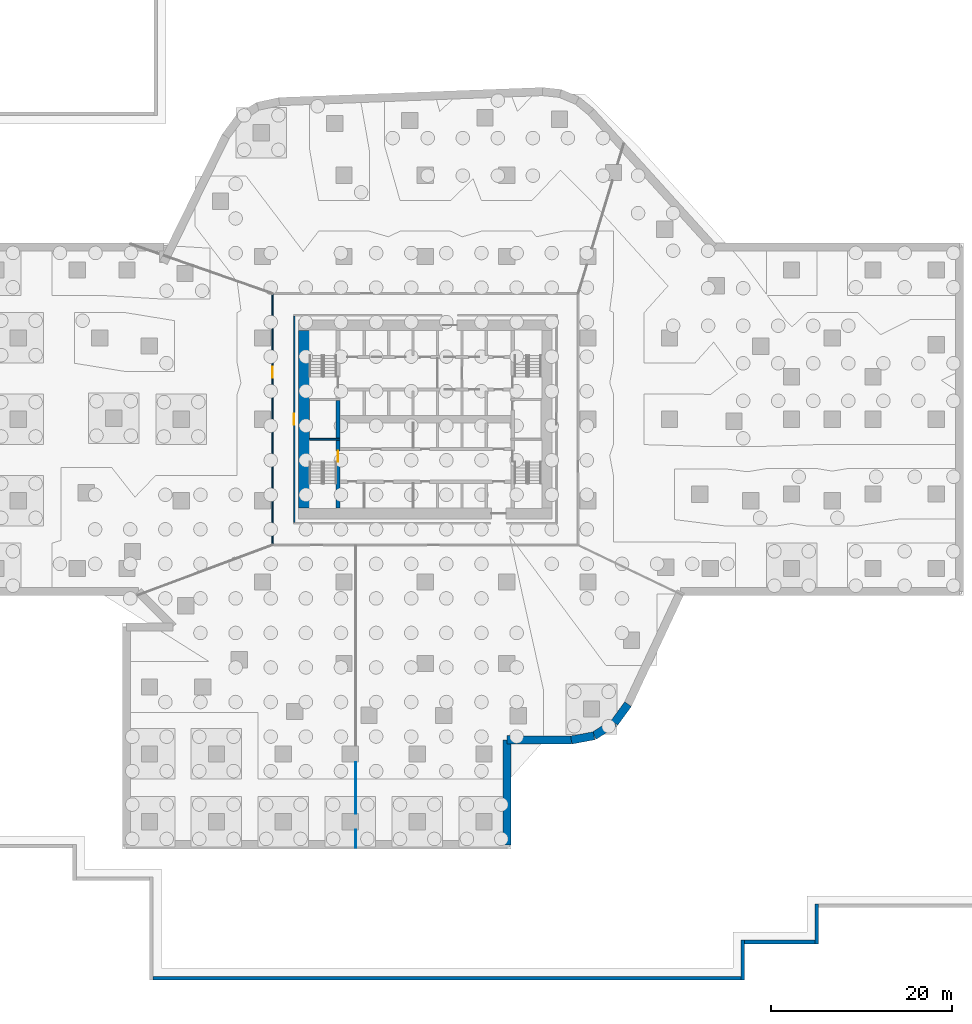
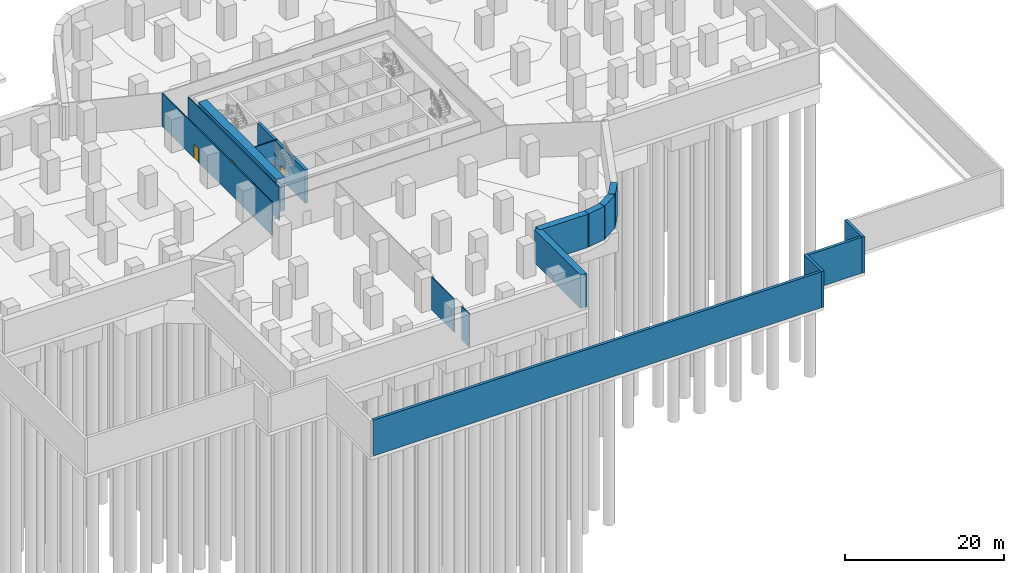
# One storey, part 5 of 12: 17 walls, 3 doors, 3 openings.
"""IFC4 building model written with IfcOpenShell, lengths in metres."""

import ifcopenshell
import ifcopenshell.guid

model = None  # the IFC model being written
_history = None  # IfcOwnerHistory: only IFC2X3 demands one
_inside = {}  # id of a spatial element -> (the spatial element, [elements in it])
_under = {}  # id of a project, library or spatial element -> (it, [spatial elements below it])
_declared = {}  # id of a project -> (the project, [libraries it declares])
_typed = {}  # id of a type object -> (the type object, [elements of that type])
_made_of = {}  # id of a material, layer set ... -> (it, [elements and type objects made of it])


def new_model(schema):
    """Start an empty IFC model of exactly this schema.

    Asked for "IFC4X3", IfcOpenShell would pick the latest addendum, in which some entities
    have other attributes; the version numbers below select the first issue.
    IFC2X3 requires an IfcOwnerHistory on every rooted entity: one is made here for all.
    """
    global model, _history
    if schema == "IFC4X3":
        model = ifcopenshell.file(schema_version=(4, 3, 0, 0))
    else:
        model = ifcopenshell.file(schema=schema)
    _inside.clear()
    _under.clear()
    _declared.clear()
    _typed.clear()
    _made_of.clear()
    _history = None
    if model.schema == "IFC2X3":
        org = make("IfcOrganization", Name="unknown")
        user = make(
            "IfcPersonAndOrganization",
            ThePerson=make("IfcPerson", FamilyName="unknown"),
            TheOrganization=org,
        )
        app = make(
            "IfcApplication",
            ApplicationDeveloper=org,
            Version="unknown",
            ApplicationFullName="unknown",
            ApplicationIdentifier="unknown",
        )
        _history = make(
            "IfcOwnerHistory",
            OwningUser=user,
            OwningApplication=app,
            ChangeAction="ADDED",
            CreationDate=0,
        )
    return model


def make(cls, **values):
    """One entity of the class cls with the attributes given. An attribute that is None is left unset."""
    return model.create_entity(
        cls, **{name: value for name, value in values.items() if value is not None}
    )


def rooted(cls, **values):
    """An entity with a GlobalId (a new one), such as an element, a storey or a relation."""
    return make(cls, GlobalId=ifcopenshell.guid.new(), OwnerHistory=_history, **values)


def si_unit(unit_type, name, prefix=None):
    """IfcSIUnit, for example si_unit("LENGTHUNIT", "METRE", prefix="MILLI")."""
    return make("IfcSIUnit", UnitType=unit_type, Prefix=prefix, Name=name)


def assignment(units):
    """IfcUnitAssignment: the units of a project."""
    return None if units is None else make("IfcUnitAssignment", Units=units)


def point(xyz):
    """IfcCartesianPoint."""
    return None if xyz is None else make("IfcCartesianPoint", Coordinates=xyz)


def direction(xyz):
    """IfcDirection."""
    return None if xyz is None else make("IfcDirection", DirectionRatios=xyz)


def frame(location, z_axis=None, x_axis=None):
    """IfcAxis2Placement3D, a coordinate frame: its origin and axes. An axis left out is left unset."""
    return make(
        "IfcAxis2Placement3D",
        Location=point(location),
        Axis=direction(z_axis),
        RefDirection=direction(x_axis),
    )


def frame_2d(location, x_axis=None):
    """IfcAxis2Placement2D, a coordinate frame in the plane: its origin and x axis."""
    return make(
        "IfcAxis2Placement2D", Location=point(location), RefDirection=direction(x_axis)
    )


def origin():
    """The frame at (0, 0, 0) with its axes left unset."""
    return frame((0.0, 0.0, 0.0))


def place(relative_to, where):
    """IfcLocalPlacement: puts the frame where relative to a parent placement (None: the world)."""
    return make(
        "IfcLocalPlacement", PlacementRelTo=relative_to, RelativePlacement=where
    )


def context(
    kind, dimensions, precision=None, world=None, true_north=None, identifier=None
):
    """IfcGeometricRepresentationContext, for example the 3D "Model" context."""
    return make(
        "IfcGeometricRepresentationContext",
        ContextIdentifier=identifier,
        ContextType=kind,
        CoordinateSpaceDimension=dimensions,
        Precision=precision,
        WorldCoordinateSystem=world,
        TrueNorth=true_north,
    )


def subcontext(parent, identifier, kind, view, scale=None):
    """IfcGeometricRepresentationSubContext, for example "Body" below "Model"."""
    return make(
        "IfcGeometricRepresentationSubContext",
        ContextIdentifier=identifier,
        ContextType=kind,
        ParentContext=parent,
        TargetScale=scale,
        TargetView=view,
    )


def project(units=None, contexts=None):
    """IfcProject with its units and contexts."""
    return rooted(
        "IfcProject",
        Name="project",
        RepresentationContexts=contexts,
        UnitsInContext=assignment(units),
    )


def spatial(cls, under=None, at=None, **own):
    """A site, building, storey or space (cls), placed at a placement, below another one or the project."""
    s = rooted(cls, ObjectPlacement=at, **own)
    if under is not None:
        _under.setdefault(under.id(), (under, []))[1].append(s)
    return s


def profile(cls, at=None, kind="AREA", **sizes):
    """A parametric profile (cls). Its sizes go by their IFC names, for example OverallWidth=200.0."""
    return make(cls, ProfileType=kind, Position=at, **sizes)


def rectangle(**sizes):
    """IfcRectangleProfileDef."""
    return profile("IfcRectangleProfileDef", **sizes)


def extrude(swept, where, along, depth):
    """IfcExtrudedAreaSolid: the profile swept, set in the frame where, extruded along a direction by depth."""
    return make(
        "IfcExtrudedAreaSolid",
        SweptArea=swept,
        Position=where,
        ExtrudedDirection=direction(along),
        Depth=depth,
    )


def shape(context_of_items, identifier, shape_type, items):
    """IfcShapeRepresentation: the items that make up one representation, for example the "Body"."""
    return make(
        "IfcShapeRepresentation",
        ContextOfItems=context_of_items,
        RepresentationIdentifier=identifier,
        RepresentationType=shape_type,
        Items=items,
    )


def material(Name=None, Category=None):
    """IfcMaterial."""
    return make("IfcMaterial", Name=Name, Category=Category)


def layer(
    of_material, thickness, ventilated=None, Name=None, Category=None, Priority=None
):
    """IfcMaterialLayer: one layer of a wall or slab, of a material (None: an air gap)."""
    return make(
        "IfcMaterialLayer",
        Material=of_material,
        LayerThickness=thickness,
        IsVentilated=ventilated,
        Name=Name,
        Category=Category,
        Priority=Priority,
    )


def layer_set(layers, Name=None):
    """IfcMaterialLayerSet."""
    return make("IfcMaterialLayerSet", MaterialLayers=layers, LayerSetName=Name)


def made_of(thing, what):
    """Note that an element or type object is made of a material, layer set ...; save() writes the relation."""
    if what is not None:
        _made_of.setdefault(what.id(), (what, []))[1].append(thing)
    return thing


def type_object(cls, material=None, **own):
    """A type object (cls), such as IfcWallType, which elements share."""
    return made_of(rooted(cls, **own), material)


def element(
    cls,
    number,
    at=None,
    inside=None,
    cuts=None,
    type_object=None,
    material=None,
    context=None,
    identifier="Body",
    shape_type=None,
    held_by="IfcProductDefinitionShape",
    body=None,
    shapes=None,
    **own,
):
    """One element of the class cls, such as IfcWall. Its Tag is "e" and its number.

    at: its placement. inside: the storey or other place that contains it. cuts: it is an
    opening in that element (IfcRelVoidsElement). A single representation is given by context,
    identifier, shape_type and body (its items); several are given by shapes. held_by: the class
    of the entity that holds the representations. save() writes the other relations.
    """
    e = rooted(cls, Tag="e%d" % number, ObjectPlacement=at, **own)
    if body is not None:
        shapes = [shape(context, identifier, shape_type, body)]
    if shapes is not None:
        e.Representation = make(held_by, Representations=shapes)
    if inside is not None:
        _inside.setdefault(inside.id(), (inside, []))[1].append(e)
    if cuts is not None:
        rooted(
            "IfcRelVoidsElement", RelatingBuildingElement=cuts, RelatedOpeningElement=e
        )
    if type_object is not None:
        _typed.setdefault(type_object.id(), (type_object, []))[1].append(e)
    return made_of(e, material)


def fill(opening, filler):
    """IfcRelFillsElement: the door or window that sits in an opening."""
    return rooted(
        "IfcRelFillsElement",
        RelatingOpeningElement=opening,
        RelatedBuildingElement=filler,
    )


def aggregate(whole, parts):
    """IfcRelAggregates: a whole, such as a stair, and the parts it consists of."""
    return rooted("IfcRelAggregates", RelatingObject=whole, RelatedObjects=parts)


def save(model, path):
    """Write the relations noted so far, then the file.

    IfcRelAggregates (storeys below a building ...), IfcRelContainedInSpatialStructure (elements
    in a storey), IfcRelDefinesByType, IfcRelAssociatesMaterial and IfcRelDeclares: one each for
    every whole, place, type object, material and project.
    """
    for whole, parts in _under.values():
        aggregate(whole, parts)
    for where, things in _inside.values():
        rooted(
            "IfcRelContainedInSpatialStructure",
            RelatedElements=things,
            RelatingStructure=where,
        )
    for kind, things in _typed.values():
        rooted("IfcRelDefinesByType", RelatedObjects=things, RelatingType=kind)
    for what, things in _made_of.values():
        rooted("IfcRelAssociatesMaterial", RelatedObjects=things, RelatingMaterial=what)
    for by, libraries in _declared.values():
        rooted("IfcRelDeclares", RelatingContext=by, RelatedDefinitions=libraries)
    model.write(path)


model = new_model("IFC4")

# Units and contexts
model_context = context("Model", 3, precision=1e-05, world=origin(), true_north=direction((0.0, 1.0)))
body_context = subcontext(model_context, "Body", "Model", "MODEL_VIEW")
ifc_project = project(units=[si_unit("LENGTHUNIT", "METRE"), si_unit("AREAUNIT", "SQUARE_METRE"), si_unit("VOLUMEUNIT", "CUBIC_METRE"), si_unit("PLANEANGLEUNIT", "RADIAN"), si_unit("MASSUNIT", "GRAM", prefix="KILO")], contexts=[model_context])

# Site, building, storey
site_placement = place(None, origin())
site = spatial("IfcSite", under=ifc_project, at=site_placement, CompositionType="ELEMENT")
building_placement = place(site_placement, origin())
building = spatial("IfcBuilding", under=site, at=building_placement, Name="Dongbaek Canopy Tower", CompositionType="ELEMENT")
storey_placement = place(building_placement, frame((0.0, 0.0, -17.0)))
storey = spatial("IfcBuildingStorey", under=building, at=storey_placement, Name="B3", CompositionType="ELEMENT", Elevation=-17.0)

# Wall
ifc_material_1 = material(Name="Concrete C60/75", Category="concrete")
ifc_layer_1 = layer(ifc_material_1, 1.199951171875)
ifc_layer_set_1 = layer_set([ifc_layer_1], Name="Core outer wall 1200 Concrete C60/75")
wall_type_1 = type_object("IfcWallType", Name="Core outer wall 1200 Concrete C60/75", PredefinedType="SHEAR", material=ifc_layer_set_1)
wall_1_placement = place(storey_placement, frame((-13.39990234375, -9.800048828125, 0.0), z_axis=(0.0, 0.0, 1.0), x_axis=(0.0, 1.0, 0.0)))
element("IfcWall", 1, at=wall_1_placement, inside=storey, type_object=wall_type_1, Name="Core wall", PredefinedType="SHEAR", context=body_context, shape_type="SweptSolid", body=[
    extrude(rectangle(XDim=19.60009765625, YDim=1.199951171875, at=frame_2d((9.800048828125, 0.0))), origin(), (0.0, 0.0, 1.0), 5.10009765625),
])

# Wall, opening, door
ifc_material_2 = material(Name="Gypsum board partition, steel stud, 2 x 15 mm fire board", Category="steel")
ifc_layer_2 = layer(ifc_material_2, 0.14990234375)
ifc_layer_set_2 = layer_set([ifc_layer_2], Name="Fire-rated partition 150 gypsum board")
wall_type_2 = type_object("IfcWallType", Name="Fire-rated partition 150 gypsum board", PredefinedType="PARTITIONING", material=ifc_layer_set_2)
wall_2_placement = place(storey_placement, frame((-14.5, 11.425048828125, 0.0), z_axis=(0.0, 0.0, 1.0), x_axis=(0.0, -1.0, 0.0)))
wall_2 = element("IfcWall", 2, at=wall_2_placement, inside=storey, type_object=wall_type_2, Name="Corridor partition", PredefinedType="PARTITIONING", context=body_context, shape_type="SweptSolid", body=[
    extrude(rectangle(XDim=22.85009765625, YDim=0.14990234375, at=frame_2d((11.425048828125, 0.0))), origin(), (0.0, 0.0, 1.0), 5.10009765625),
])
opening_1_placement = place(wall_2_placement, frame((10.824951171875, 0.0, 0.0)))
opening_1 = element("IfcOpeningElement", 3, at=opening_1_placement, cuts=wall_2, Name="Opening B3-D006", PredefinedType="OPENING", context=body_context, shape_type="SweptSolid", body=[
    extrude(rectangle(XDim=1.199951171875, YDim=2.10009765625, at=frame_2d((0.60009765625, 1.050048828125))), frame((0.0, 0.0849609375, 0.0), z_axis=(0.0, -1.0, 0.0), x_axis=(1.0, 0.0, 0.0)), (0.0, 0.0, 1.0), 0.169921875),
])
ifc_material_3 = material(Name="Timber veneered door leaf", Category="wood")
door_type_1 = type_object("IfcDoorType", Name="Room door 1200 x 2100", OperationType="SINGLE_SWING_LEFT", PredefinedType="DOOR", material=ifc_material_3)
door_1_placement = place(opening_1_placement, origin())
door_1 = element("IfcDoor", 4, at=door_1_placement, inside=storey, type_object=door_type_1, Name="Door B3-D006", OperationType="SINGLE_SWING_LEFT", OverallHeight=2.10009765625, OverallWidth=1.199951171875, PredefinedType="DOOR", context=body_context, shape_type="SweptSolid", body=[
    extrude(rectangle(XDim=1.199951171875, YDim=2.10009765625, at=frame_2d((0.60009765625, 1.050048828125))), frame((0.0, 0.02490234375, 0.0), z_axis=(0.0, -1.0, 0.0), x_axis=(1.0, 0.0, 0.0)), (0.0, 0.0, 1.0), 0.050048828125),
])
fill(opening_1, door_1)

wall_3_placement = place(storey_placement, frame((-16.89990234375, -13.824951171875, 0.0), z_axis=(0.0, 0.0, 1.0), x_axis=(0.0, 1.0, 0.0)))
wall_3 = element("IfcWall", 5, at=wall_3_placement, inside=storey, type_object=wall_type_2, Name="Corridor partition", PredefinedType="PARTITIONING", context=body_context, shape_type="SweptSolid", body=[
    extrude(rectangle(XDim=27.64990234375, YDim=0.14990234375, at=frame_2d((13.824951171875, 0.0))), origin(), (0.0, 0.0, 1.0), 5.10009765625),
])
opening_2_placement = place(wall_3_placement, frame((18.445068359375, 0.0, 0.0)))
opening_2 = element("IfcOpeningElement", 6, at=opening_2_placement, cuts=wall_3, Name="Opening B3-D001", PredefinedType="OPENING", context=body_context, shape_type="SweptSolid", body=[
    extrude(rectangle(XDim=1.199951171875, YDim=2.10009765625, at=frame_2d((0.60009765625, 1.050048828125))), frame((0.0, 0.0849609375, 0.0), z_axis=(0.0, -1.0, 0.0), x_axis=(1.0, 0.0, 0.0)), (0.0, 0.0, 1.0), 0.169921875),
])
door_2_placement = place(opening_2_placement, origin())
door_2 = element("IfcDoor", 7, at=door_2_placement, inside=storey, type_object=door_type_1, Name="Door B3-D001", OperationType="SINGLE_SWING_RIGHT", OverallHeight=2.10009765625, OverallWidth=1.199951171875, PredefinedType="DOOR", context=body_context, shape_type="SweptSolid", body=[
    extrude(rectangle(XDim=1.199951171875, YDim=2.10009765625, at=frame_2d((0.60009765625, 1.050048828125))), frame((0.0, 0.02490234375, 0.0), z_axis=(0.0, -1.0, 0.0), x_axis=(1.0, 0.0, 0.0)), (0.0, 0.0, 1.0), 0.050048828125),
])
fill(opening_2, door_2)

# Walls
ifc_material_4 = material(Name="Gypsum board partition, steel stud, 2 x 12.5 mm board", Category="steel")
ifc_layer_3 = layer(ifc_material_4, 0.10009765625)
ifc_layer_set_3 = layer_set([ifc_layer_3], Name="Partition 100 gypsum board")
wall_type_3 = type_object("IfcWallType", Name="Partition 100 gypsum board", PredefinedType="PARTITIONING", material=ifc_layer_set_3)
wall_4_placement = place(storey_placement, frame((-7.699951171875, -47.3798828125, 0.0), z_axis=(0.0, 0.0, 1.0), x_axis=(0.0, 1.0, 0.0)))
element("IfcWall", 8, at=wall_4_placement, inside=storey, type_object=wall_type_3, Name="Partition", PredefinedType="PARTITIONING", context=body_context, shape_type="SweptSolid", body=[
    extrude(rectangle(XDim=1.97998046875, YDim=0.10009765625, at=frame_2d((0.989990234375, 0.0))), origin(), (0.0, 0.0, 1.0), 5.10009765625),
])
wall_5_placement = place(storey_placement, frame((-7.699951171875, -43.60009765625, 0.0), z_axis=(0.0, 0.0, 1.0), x_axis=(0.0, 1.0, 0.0)))
element("IfcWall", 9, at=wall_5_placement, inside=storey, type_object=wall_type_3, Name="Partition", PredefinedType="PARTITIONING", context=body_context, shape_type="SweptSolid", body=[
    extrude(rectangle(XDim=5.7001953125, YDim=0.10009765625, at=frame_2d((2.85009765625, 0.0))), origin(), (0.0, 0.0, 1.0), 5.10009765625),
])
ifc_material_5 = material(Name="Concrete C40/50", Category="concrete")
ifc_layer_4 = layer(ifc_material_5, 0.39990234375)
ifc_layer_set_4 = layer_set([ifc_layer_4], Name="Plaza plinth wall 400")
wall_type_4 = type_object("IfcWallType", Name="Plaza plinth wall 400", PredefinedType="SOLIDWALL", material=ifc_layer_set_4)
wall_6_placement = place(storey_placement, frame((-30.10009765625, -61.800048828125, 0.0), z_axis=(0.0, 0.0, 1.0), x_axis=(1.0, 0.0, 0.0)))
element("IfcWall", 10, at=wall_6_placement, inside=storey, type_object=wall_type_4, Name="Plaza plinth wall 53", PredefinedType="SOLIDWALL", context=body_context, shape_type="SweptSolid", body=[
    extrude(rectangle(XDim=65.0, YDim=0.39990234375, at=frame_2d((32.5, 0.0))), origin(), (0.0, 0.0, 1.0), 5.5),
])
wall_7_placement = place(storey_placement, frame((35.10009765625, -62.0, 0.0), z_axis=(0.0, 0.0, 1.0), x_axis=(0.0, 1.0, 0.0)))
element("IfcWall", 11, at=wall_7_placement, inside=storey, type_object=wall_type_4, Name="Plaza plinth wall 54", PredefinedType="SOLIDWALL", context=body_context, shape_type="SweptSolid", body=[
    extrude(rectangle(XDim=4.39990234375, YDim=0.39990234375, at=frame_2d((2.199951171875, 0.0))), origin(), (0.0, 0.0, 1.0), 5.5),
])
wall_8_placement = place(storey_placement, frame((35.300048828125, -57.800048828125, 0.0), z_axis=(0.0, 0.0, 1.0), x_axis=(1.0, 0.0, 0.0)))
element("IfcWall", 12, at=wall_8_placement, inside=storey, type_object=wall_type_4, Name="Plaza plinth wall 56", PredefinedType="SOLIDWALL", context=body_context, shape_type="SweptSolid", body=[
    extrude(rectangle(XDim=7.800048828125, YDim=0.39990234375, at=frame_2d((3.89990234375, 0.0))), origin(), (0.0, 0.0, 1.0), 5.5),
])
wall_9_placement = place(storey_placement, frame((43.300048828125, -58.0, 0.0), z_axis=(0.0, 0.0, 1.0), x_axis=(0.0, 1.0, 0.0)))
element("IfcWall", 13, at=wall_9_placement, inside=storey, type_object=wall_type_4, Name="Plaza plinth wall 57", PredefinedType="SOLIDWALL", context=body_context, shape_type="SweptSolid", body=[
    extrude(rectangle(XDim=4.39990234375, YDim=0.39990234375, at=frame_2d((2.199951171875, 0.0))), origin(), (0.0, 0.0, 1.0), 5.5),
])
ifc_material_6 = material(Name="Concrete C40", Category="concrete")
ifc_layer_5 = layer(ifc_material_6, 0.89990234375)
ifc_layer_set_5 = layer_set([ifc_layer_5], Name="RC RETAINING WALL 900 Concrete C40")
wall_type_5 = type_object("IfcWallType", Name="RC RETAINING WALL 900 Concrete C40", PredefinedType="SHEAR", material=ifc_layer_set_5)
wall_10_placement = place(storey_placement, frame((22.414794921875, -31.49658203125, 0.0), z_axis=(0.0, 0.0, 1.0), x_axis=(-0.587162736068, -0.809468913161, 0.0)))
element("IfcWall", 14, at=wall_10_placement, inside=storey, type_object=wall_type_5, Name="RWALL:B3:20", PredefinedType="SHEAR", context=body_context, shape_type="SweptSolid", body=[
    extrude(rectangle(XDim=2.562255859375, YDim=0.89990234375, at=frame_2d((1.28125, 0.0))), origin(), (0.0, 0.0, 1.0), 5.10009765625),
])
wall_11_placement = place(storey_placement, frame((20.910400390625, -33.570556640625, 0.0), z_axis=(0.0, 0.0, 1.0), x_axis=(-0.845024751893, -0.534727190901, 0.0)))
element("IfcWall", 15, at=wall_11_placement, inside=storey, type_object=wall_type_5, Name="RWALL:B3:21", PredefinedType="SHEAR", context=body_context, shape_type="SweptSolid", body=[
    extrude(rectangle(XDim=2.6640625, YDim=0.89990234375, at=frame_2d((1.33203125, 0.0))), origin(), (0.0, 0.0, 1.0), 5.10009765625),
])
wall_12_placement = place(storey_placement, frame((18.6591796875, -34.9951171875, 0.0), z_axis=(0.0, 0.0, 1.0), x_axis=(-0.98292500595, -0.184006610421, 0.0)))
element("IfcWall", 16, at=wall_12_placement, inside=storey, type_object=wall_type_5, Name="RWALL:B3:22", PredefinedType="SHEAR", context=body_context, shape_type="SweptSolid", body=[
    extrude(rectangle(XDim=2.56201171875, YDim=0.89990234375, at=frame_2d((1.281005859375, 0.0))), origin(), (0.0, 0.0, 1.0), 5.10009765625),
])
wall_13_placement = place(storey_placement, frame((16.140869140625, -35.466552734375, 0.0), z_axis=(0.0, 0.0, 1.0), x_axis=(-0.999989983008, 0.004475922662, 0.0)))
element("IfcWall", 17, at=wall_13_placement, inside=storey, type_object=wall_type_5, Name="RWALL:B3:23", PredefinedType="SHEAR", context=body_context, shape_type="SweptSolid", body=[
    extrude(rectangle(XDim=7.0908203125, YDim=0.89990234375, at=frame_2d((3.54541015625, 0.0))), origin(), (0.0, 0.0, 1.0), 5.10009765625),
])
wall_14_placement = place(storey_placement, frame((9.050048828125, -35.434814453125, 0.0), z_axis=(0.0, 0.0, 1.0), x_axis=(0.0, -1.0, 0.0)))
element("IfcWall", 18, at=wall_14_placement, inside=storey, type_object=wall_type_5, Name="RWALL:B3:24", PredefinedType="SHEAR", context=body_context, shape_type="SweptSolid", body=[
    extrude(rectangle(XDim=11.615234375, YDim=0.89990234375, at=frame_2d((5.8076171875, 0.0))), origin(), (0.0, 0.0, 1.0), 5.10009765625),
])
ifc_material_7 = material(Name="Concrete C60/75", Category="concrete")
ifc_layer_6 = layer(ifc_material_7, 0.199951171875)
ifc_layer_set_6 = layer_set([ifc_layer_6], Name="Riser wall 200 Concrete C60/75")
wall_type_6 = type_object("IfcWallType", Name="Riser wall 200 Concrete C60/75", PredefinedType="SHEAR", material=ifc_layer_set_6)
wall_15_placement = place(storey_placement, frame((-9.449951171875, -2.199951171875, 0.0), z_axis=(0.0, 0.0, 1.0), x_axis=(-1.0, 0.0, 0.0)))
element("IfcWall", 19, at=wall_15_placement, inside=storey, type_object=wall_type_6, Name="Riser wall", PredefinedType="SHEAR", context=body_context, shape_type="SweptSolid", body=[
    extrude(rectangle(XDim=3.35009765625, YDim=0.199951171875, at=frame_2d((1.675048828125, 0.0))), origin(), (0.0, 0.0, 1.0), 5.10009765625),
])

# Wall, opening, door
ifc_material_8 = material(Name="Concrete C60/75", Category="concrete")
ifc_layer_7 = layer(ifc_material_8, 0.39990234375)
ifc_layer_set_7 = layer_set([ifc_layer_7], Name="Stair wall 400 Concrete C60/75")
wall_type_7 = type_object("IfcWallType", Name="Stair wall 400 Concrete C60/75", PredefinedType="SHEAR", material=ifc_layer_set_7)
wall_16_placement = place(storey_placement, frame((-9.64990234375, -9.800048828125, 0.0), z_axis=(0.0, 0.0, 1.0), x_axis=(0.0, 1.0, 0.0)))
wall_16 = element("IfcWall", 20, at=wall_16_placement, inside=storey, type_object=wall_type_7, Name="Stair wall", PredefinedType="SHEAR", context=body_context, shape_type="SweptSolid", body=[
    extrude(rectangle(XDim=7.5, YDim=0.39990234375, at=frame_2d((3.75, 0.0))), origin(), (0.0, 0.0, 1.0), 5.10009765625),
])
opening_3_placement = place(wall_16_placement, frame((5.10009765625, 0.0, 0.0)))
opening_3 = element("IfcOpeningElement", 21, at=opening_3_placement, cuts=wall_16, Name="Opening B3-D031", PredefinedType="OPENING", context=body_context, shape_type="SweptSolid", body=[
    extrude(rectangle(XDim=1.199951171875, YDim=2.10009765625, at=frame_2d((0.60009765625, 1.050048828125))), frame((0.0, 0.2099609375, 0.0), z_axis=(0.0, -1.0, 0.0), x_axis=(1.0, 0.0, 0.0)), (0.0, 0.0, 1.0), 0.419921875),
])
ifc_material_9 = material(Name="Steel", Category="steel")
door_type_2 = type_object("IfcDoorType", Name="Stair door 1200 x 2100", OperationType="SINGLE_SWING_LEFT", PredefinedType="DOOR", material=ifc_material_9)
door_3_placement = place(opening_3_placement, origin())
door_3 = element("IfcDoor", 22, at=door_3_placement, inside=storey, type_object=door_type_2, Name="Stair D door", OperationType="SINGLE_SWING_LEFT", OverallHeight=2.10009765625, OverallWidth=1.199951171875, PredefinedType="DOOR", context=body_context, shape_type="SweptSolid", body=[
    extrude(rectangle(XDim=1.199951171875, YDim=2.10009765625, at=frame_2d((0.60009765625, 1.050048828125))), frame((0.0, 0.02490234375, 0.0), z_axis=(0.0, -1.0, 0.0), x_axis=(1.0, 0.0, 0.0)), (0.0, 0.0, 1.0), 0.050048828125),
])
fill(opening_3, door_3)

# Wall
wall_17_placement = place(storey_placement, frame((-9.64990234375, -2.10009765625, 0.0), z_axis=(0.0, 0.0, 1.0), x_axis=(0.0, 1.0, 0.0)))
element("IfcWall", 23, at=wall_17_placement, inside=storey, type_object=wall_type_7, Name="Stair wall", PredefinedType="SHEAR", context=body_context, shape_type="SweptSolid", body=[
    extrude(rectangle(XDim=4.2001953125, YDim=0.39990234375, at=frame_2d((2.10009765625, 0.0))), origin(), (0.0, 0.0, 1.0), 5.10009765625),
])

save(model, "model.ifc")
